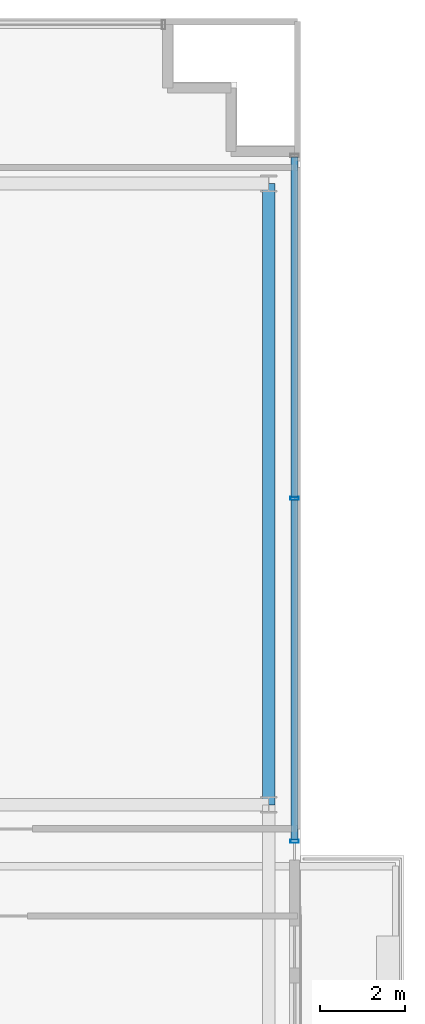
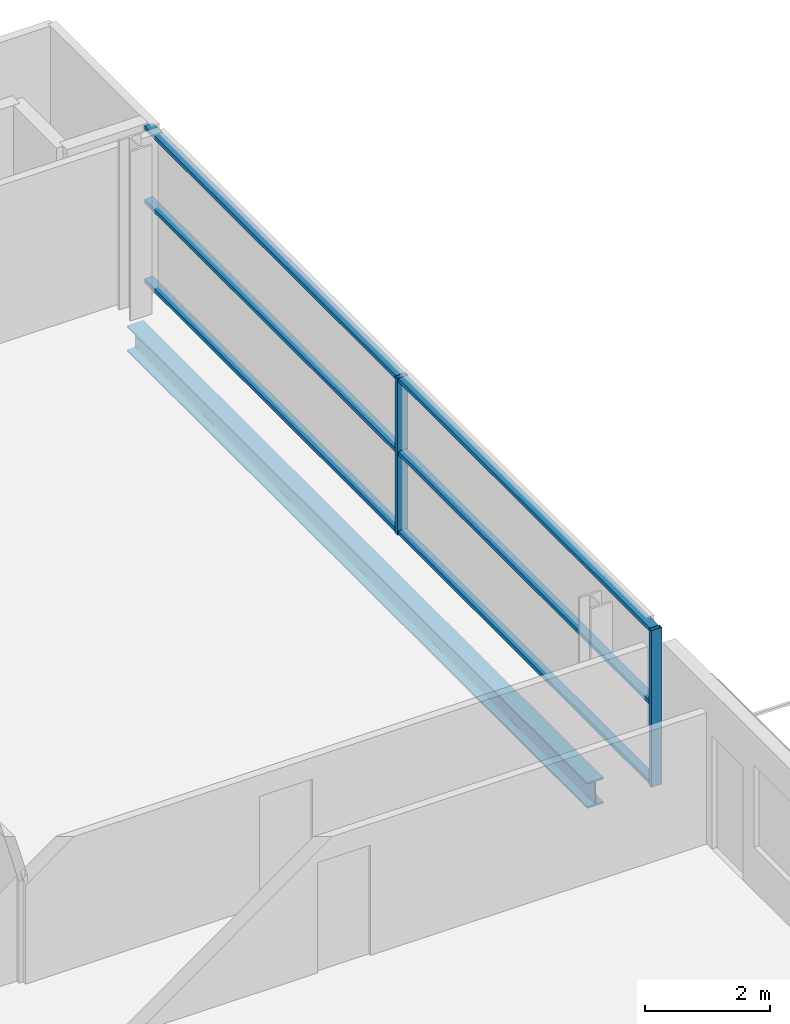
# One storey, part 10 of 23: 8 members, 1 beam, 1 element without a shape of its own.
"""IFC4 building model written with IfcOpenShell, lengths in metres."""

import ifcopenshell
import ifcopenshell.guid

model = None  # the IFC model being written
_history = None  # IfcOwnerHistory: only IFC2X3 demands one
_inside = {}  # id of a spatial element -> (the spatial element, [elements in it])
_under = {}  # id of a project, library or spatial element -> (it, [spatial elements below it])
_declared = {}  # id of a project -> (the project, [libraries it declares])
_typed = {}  # id of a type object -> (the type object, [elements of that type])
_made_of = {}  # id of a material, layer set ... -> (it, [elements and type objects made of it])


def new_model(schema):
    """Start an empty IFC model of exactly this schema.

    Asked for "IFC4X3", IfcOpenShell would pick the latest addendum, in which some entities
    have other attributes; the version numbers below select the first issue.
    IFC2X3 requires an IfcOwnerHistory on every rooted entity: one is made here for all.
    """
    global model, _history
    if schema == "IFC4X3":
        model = ifcopenshell.file(schema_version=(4, 3, 0, 0))
    else:
        model = ifcopenshell.file(schema=schema)
    _inside.clear()
    _under.clear()
    _declared.clear()
    _typed.clear()
    _made_of.clear()
    _history = None
    if model.schema == "IFC2X3":
        org = make("IfcOrganization", Name="unknown")
        user = make(
            "IfcPersonAndOrganization",
            ThePerson=make("IfcPerson", FamilyName="unknown"),
            TheOrganization=org,
        )
        app = make(
            "IfcApplication",
            ApplicationDeveloper=org,
            Version="unknown",
            ApplicationFullName="unknown",
            ApplicationIdentifier="unknown",
        )
        _history = make(
            "IfcOwnerHistory",
            OwningUser=user,
            OwningApplication=app,
            ChangeAction="ADDED",
            CreationDate=0,
        )
    return model


def make(cls, **values):
    """One entity of the class cls with the attributes given. An attribute that is None is left unset."""
    return model.create_entity(
        cls, **{name: value for name, value in values.items() if value is not None}
    )


def rooted(cls, **values):
    """An entity with a GlobalId (a new one), such as an element, a storey or a relation."""
    return make(cls, GlobalId=ifcopenshell.guid.new(), OwnerHistory=_history, **values)


def si_unit(unit_type, name, prefix=None):
    """IfcSIUnit, for example si_unit("LENGTHUNIT", "METRE", prefix="MILLI")."""
    return make("IfcSIUnit", UnitType=unit_type, Prefix=prefix, Name=name)


def assignment(units):
    """IfcUnitAssignment: the units of a project."""
    return None if units is None else make("IfcUnitAssignment", Units=units)


def point(xyz):
    """IfcCartesianPoint."""
    return None if xyz is None else make("IfcCartesianPoint", Coordinates=xyz)


def direction(xyz):
    """IfcDirection."""
    return None if xyz is None else make("IfcDirection", DirectionRatios=xyz)


def frame(location, z_axis=None, x_axis=None):
    """IfcAxis2Placement3D, a coordinate frame: its origin and axes. An axis left out is left unset."""
    return make(
        "IfcAxis2Placement3D",
        Location=point(location),
        Axis=direction(z_axis),
        RefDirection=direction(x_axis),
    )


def frame_2d(location, x_axis=None):
    """IfcAxis2Placement2D, a coordinate frame in the plane: its origin and x axis."""
    return make(
        "IfcAxis2Placement2D", Location=point(location), RefDirection=direction(x_axis)
    )


def origin():
    """The frame at (0, 0, 0) with its axes left unset."""
    return frame((0.0, 0.0, 0.0))


def origin_2d():
    """The frame at (0, 0) in the plane with its x axis left unset."""
    return frame_2d((0.0, 0.0))


def place(relative_to, where):
    """IfcLocalPlacement: puts the frame where relative to a parent placement (None: the world)."""
    return make(
        "IfcLocalPlacement", PlacementRelTo=relative_to, RelativePlacement=where
    )


def context(
    kind, dimensions, precision=None, world=None, true_north=None, identifier=None
):
    """IfcGeometricRepresentationContext, for example the 3D "Model" context."""
    return make(
        "IfcGeometricRepresentationContext",
        ContextIdentifier=identifier,
        ContextType=kind,
        CoordinateSpaceDimension=dimensions,
        Precision=precision,
        WorldCoordinateSystem=world,
        TrueNorth=true_north,
    )


def subcontext(parent, identifier, kind, view, scale=None):
    """IfcGeometricRepresentationSubContext, for example "Body" below "Model"."""
    return make(
        "IfcGeometricRepresentationSubContext",
        ContextIdentifier=identifier,
        ContextType=kind,
        ParentContext=parent,
        TargetScale=scale,
        TargetView=view,
    )


def project(units=None, contexts=None):
    """IfcProject with its units and contexts."""
    return rooted(
        "IfcProject",
        Name="project",
        RepresentationContexts=contexts,
        UnitsInContext=assignment(units),
    )


def spatial(cls, under=None, at=None, **own):
    """A site, building, storey or space (cls), placed at a placement, below another one or the project."""
    s = rooted(cls, ObjectPlacement=at, **own)
    if under is not None:
        _under.setdefault(under.id(), (under, []))[1].append(s)
    return s


def profile(cls, at=None, kind="AREA", **sizes):
    """A parametric profile (cls). Its sizes go by their IFC names, for example OverallWidth=200.0."""
    return make(cls, ProfileType=kind, Position=at, **sizes)


def hollow_rectangle(**sizes):
    """IfcRectangleHollowProfileDef."""
    return profile("IfcRectangleHollowProfileDef", **sizes)


def i_section(**sizes):
    """IfcIShapeProfileDef."""
    return profile("IfcIShapeProfileDef", **sizes)


def extrude(swept, where, along, depth):
    """IfcExtrudedAreaSolid: the profile swept, set in the frame where, extruded along a direction by depth."""
    return make(
        "IfcExtrudedAreaSolid",
        SweptArea=swept,
        Position=where,
        ExtrudedDirection=direction(along),
        Depth=depth,
    )


def shape(context_of_items, identifier, shape_type, items):
    """IfcShapeRepresentation: the items that make up one representation, for example the "Body"."""
    return make(
        "IfcShapeRepresentation",
        ContextOfItems=context_of_items,
        RepresentationIdentifier=identifier,
        RepresentationType=shape_type,
        Items=items,
    )


def source(mapping_origin, context_of_items, identifier, shape_type, items):
    """IfcRepresentationMap: a shape defined once, which mapped items show again and again."""
    return make(
        "IfcRepresentationMap",
        MappingOrigin=mapping_origin,
        MappedRepresentation=shape(context_of_items, identifier, shape_type, items),
    )


def transform(
    local_origin,
    x_axis=None,
    y_axis=None,
    z_axis=None,
    scale=None,
    scale2=None,
    scale3=None,
    uniform=True,
):
    """IfcCartesianTransformationOperator3D, or its non-uniform kind. x_axis, y_axis, z_axis: its Axis1, 2, 3."""
    if uniform:
        return make(
            "IfcCartesianTransformationOperator3D",
            Axis1=direction(x_axis),
            Axis2=direction(y_axis),
            LocalOrigin=point(local_origin),
            Scale=scale,
            Axis3=direction(z_axis),
        )
    return make(
        "IfcCartesianTransformationOperator3DnonUniform",
        Axis1=direction(x_axis),
        Axis2=direction(y_axis),
        LocalOrigin=point(local_origin),
        Scale=scale,
        Axis3=direction(z_axis),
        Scale2=scale2,
        Scale3=scale3,
    )


def mapped(mapping_source, mapping_target):
    """IfcMappedItem: shows the shape of a source again, moved by a transform."""
    return make(
        "IfcMappedItem", MappingSource=mapping_source, MappingTarget=mapping_target
    )


def material(Name=None, Category=None):
    """IfcMaterial."""
    return make("IfcMaterial", Name=Name, Category=Category)


def layer(
    of_material, thickness, ventilated=None, Name=None, Category=None, Priority=None
):
    """IfcMaterialLayer: one layer of a wall or slab, of a material (None: an air gap)."""
    return make(
        "IfcMaterialLayer",
        Material=of_material,
        LayerThickness=thickness,
        IsVentilated=ventilated,
        Name=Name,
        Category=Category,
        Priority=Priority,
    )


def layer_set(layers, Name=None):
    """IfcMaterialLayerSet."""
    return make("IfcMaterialLayerSet", MaterialLayers=layers, LayerSetName=Name)


def material_profile(
    of_material, cross_section, Name=None, Category=None, Priority=None
):
    """IfcMaterialProfile: a cross section and its material."""
    return make(
        "IfcMaterialProfile",
        Name=Name,
        Material=of_material,
        Profile=cross_section,
        Priority=Priority,
        Category=Category,
    )


def profile_set(profiles, Name=None, composite=None):
    """IfcMaterialProfileSet."""
    return make(
        "IfcMaterialProfileSet",
        Name=Name,
        MaterialProfiles=profiles,
        CompositeProfile=composite,
    )


def made_of(thing, what):
    """Note that an element or type object is made of a material, layer set ...; save() writes the relation."""
    if what is not None:
        _made_of.setdefault(what.id(), (what, []))[1].append(thing)
    return thing


def type_object(cls, material=None, **own):
    """A type object (cls), such as IfcWallType, which elements share."""
    return made_of(rooted(cls, **own), material)


def element(
    cls,
    number,
    at=None,
    inside=None,
    cuts=None,
    type_object=None,
    material=None,
    context=None,
    identifier="Body",
    shape_type=None,
    held_by="IfcProductDefinitionShape",
    body=None,
    shapes=None,
    **own,
):
    """One element of the class cls, such as IfcWall. Its Tag is "e" and its number.

    at: its placement. inside: the storey or other place that contains it. cuts: it is an
    opening in that element (IfcRelVoidsElement). A single representation is given by context,
    identifier, shape_type and body (its items); several are given by shapes. held_by: the class
    of the entity that holds the representations. save() writes the other relations.
    """
    e = rooted(cls, Tag="e%d" % number, ObjectPlacement=at, **own)
    if body is not None:
        shapes = [shape(context, identifier, shape_type, body)]
    if shapes is not None:
        e.Representation = make(held_by, Representations=shapes)
    if inside is not None:
        _inside.setdefault(inside.id(), (inside, []))[1].append(e)
    if cuts is not None:
        rooted(
            "IfcRelVoidsElement", RelatingBuildingElement=cuts, RelatedOpeningElement=e
        )
    if type_object is not None:
        _typed.setdefault(type_object.id(), (type_object, []))[1].append(e)
    return made_of(e, material)


def aggregate(whole, parts):
    """IfcRelAggregates: a whole, such as a stair, and the parts it consists of."""
    return rooted("IfcRelAggregates", RelatingObject=whole, RelatedObjects=parts)


def save(model, path):
    """Write the relations noted so far, then the file.

    IfcRelAggregates (storeys below a building ...), IfcRelContainedInSpatialStructure (elements
    in a storey), IfcRelDefinesByType, IfcRelAssociatesMaterial and IfcRelDeclares: one each for
    every whole, place, type object, material and project.
    """
    for whole, parts in _under.values():
        aggregate(whole, parts)
    for where, things in _inside.values():
        rooted(
            "IfcRelContainedInSpatialStructure",
            RelatedElements=things,
            RelatingStructure=where,
        )
    for kind, things in _typed.values():
        rooted("IfcRelDefinesByType", RelatedObjects=things, RelatingType=kind)
    for what, things in _made_of.values():
        rooted("IfcRelAssociatesMaterial", RelatedObjects=things, RelatingMaterial=what)
    for by, libraries in _declared.values():
        rooted("IfcRelDeclares", RelatingContext=by, RelatedDefinitions=libraries)
    model.write(path)


model = new_model("IFC4")

# Units and contexts
model_context = context("Model", 3, precision=1e-05, world=origin(), true_north=direction((0.0, 1.0)))
body_context = subcontext(model_context, "Body", "Model", "MODEL_VIEW")
ifc_project = project(units=[si_unit("LENGTHUNIT", "METRE"), si_unit("AREAUNIT", "SQUARE_METRE"), si_unit("VOLUMEUNIT", "CUBIC_METRE"), si_unit("PLANEANGLEUNIT", "RADIAN"), si_unit("MASSUNIT", "GRAM", prefix="KILO")], contexts=[model_context])

# Site, building, storey
site_placement = place(None, origin())
site = spatial("IfcSite", under=ifc_project, at=site_placement, CompositionType="ELEMENT")
building_placement = place(site_placement, origin())
building = spatial("IfcBuilding", under=site, at=building_placement, Name="Zarnakvel Exchange Tower", CompositionType="ELEMENT")
storey_placement = place(building_placement, frame((0.0, 0.0, 175.89990234375)))
storey = spatial("IfcBuildingStorey", under=building, at=storey_placement, Name="L49", CompositionType="ELEMENT", Elevation=175.89990234375)

# Beam
ifc_material_1 = material(Name="Steel S355", Category="steel")
ifc_material_profile_1 = material_profile(ifc_material_1, i_section(OverallWidth=0.300048828125, OverallDepth=0.5, WebThickness=0.014404296875, FlangeThickness=0.028076171875, FilletRadius=0.027099609375, at=origin_2d()))
ifc_profile_set_1 = profile_set([ifc_material_profile_1], Name="Steel S355")
beam_type = type_object("IfcBeamType", Name="SP-02", PredefinedType="SPANDREL", material=ifc_profile_set_1)
beam_placement = place(storey_placement, frame((25.85009765625, -1.199951171875, -0.474853515625), z_axis=(0.0, 1.0, 0.0), x_axis=(-1.0, 0.0, 0.0)))
element("IfcBeam", 1, at=beam_placement, inside=storey, type_object=beam_type, Name="L49 Tower N-S Frame Beam", PredefinedType="SPANDREL", context=body_context, shape_type="SweptSolid", body=[
    extrude(i_section(OverallWidth=0.300048828125, OverallDepth=0.5, WebThickness=0.014404296875, FlangeThickness=0.028076171875, FilletRadius=0.027099609375, at=origin_2d()), origin(), (0.0, 0.0, 1.0), 14.699951171875),
])

# Curtain wall, members
ifc_material_2 = material(Name="Architectural Bronze Anodised Aluminium", Category="aluminium")
ifc_layer = layer(ifc_material_2, 0.199951171875)
ifc_layer_set = layer_set([ifc_layer], Name="Architectural Bronze Anodised Aluminium")
curtain_wall_type = type_object("IfcCurtainWallType", Name="CW-04", PredefinedType="NOTDEFINED", material=ifc_layer_set)
curtain_wall_placement = place(storey_placement, origin())
curtain_wall = element("IfcCurtainWall", 2, at=curtain_wall_placement, inside=storey, type_object=curtain_wall_type, Name="L49 Curtain Wall CW-L49-EN (CW-04)", PredefinedType="NOTDEFINED")
ifc_material_profile_2 = material_profile(ifc_material_2, hollow_rectangle(XDim=0.199951171875, YDim=0.074951171875, WallThickness=0.0048828125, at=origin_2d()))
ifc_profile_set_2 = profile_set([ifc_material_profile_2], Name="Architectural Bronze Anodised Aluminium")
member_type_1 = type_object("IfcMemberType", Name="CWM-04", PredefinedType="MULLION", material=ifc_profile_set_2)
shared_shape_1 = source(origin(), body_context, "Body", "SweptSolid", [
    extrude(hollow_rectangle(XDim=0.199951171875, YDim=0.074951171875, WallThickness=0.0048828125, at=origin_2d()), origin(), (0.0, 0.0, 1.0), 3.05517578125),
])
member_1_placement = place(storey_placement, frame((26.4599609375, -2.0625, 0.0), z_axis=(0.0, 0.0, 1.0), x_axis=(-1.0, 0.0, 0.0)))
member_1 = element("IfcMember", 3, at=member_1_placement, type_object=member_type_1, Name="CW-04 mullion 1", PredefinedType="MULLION", context=body_context, shape_type="MappedRepresentation", body=[
    mapped(shared_shape_1, transform((0.0, 0.0, 0.0), x_axis=(1.0, 0.0, 0.0), y_axis=(0.0, 1.0, 0.0), z_axis=(0.0, 0.0, 1.0), scale=1.0)),
])
member_2_placement = place(storey_placement, frame((26.4599609375, 6.050048828125, 0.0), z_axis=(0.0, 0.0, 1.0), x_axis=(-1.0, 0.0, 0.0)))
member_2 = element("IfcMember", 4, at=member_2_placement, type_object=member_type_1, Name="CW-04 mullion 2", PredefinedType="MULLION", context=body_context, shape_type="MappedRepresentation", body=[
    mapped(shared_shape_1, transform((0.0, 0.0, 0.0), x_axis=(1.0, 0.0, 0.0), y_axis=(0.0, 1.0, 0.0), z_axis=(0.0, 0.0, 1.0), scale=1.0)),
])
ifc_material_profile_3 = material_profile(ifc_material_2, hollow_rectangle(XDim=0.159912109375, YDim=0.074951171875, WallThickness=0.00390625, at=origin_2d()))
ifc_profile_set_3 = profile_set([ifc_material_profile_3], Name="Architectural Bronze Anodised Aluminium")
member_type_2 = type_object("IfcMemberType", Name="CWT-04", PredefinedType="USERDEFINED", material=ifc_profile_set_3)
shared_shape_2 = source(origin(), body_context, "Body", "SweptSolid", [
    extrude(hollow_rectangle(XDim=0.159912109375, YDim=0.074951171875, WallThickness=0.00390625, at=origin_2d()), origin(), (0.0, 0.0, 1.0), 8.037353515625),
])
member_3_placement = place(storey_placement, frame((26.4599609375, -2.02490234375, 0.03759765625), z_axis=(0.0, 1.0, 0.0), x_axis=(-1.0, 0.0, 0.0)))
member_3 = element("IfcMember", 5, at=member_3_placement, type_object=member_type_2, Name="CW-04 transom 1.1", ObjectType="TRANSOM", PredefinedType="USERDEFINED", context=body_context, shape_type="MappedRepresentation", body=[
    mapped(shared_shape_2, transform((0.0, 0.0, 0.0), x_axis=(1.0, 0.0, 0.0), y_axis=(0.0, 1.0, 0.0), z_axis=(0.0, 0.0, 1.0), scale=1.0)),
])
member_4_placement = place(storey_placement, frame((26.4599609375, -2.02490234375, 1.588623046875), z_axis=(0.0, 1.0, 0.0), x_axis=(-1.0, 0.0, 0.0)))
member_4 = element("IfcMember", 6, at=member_4_placement, type_object=member_type_2, Name="CW-04 transom 1.2", ObjectType="TRANSOM", PredefinedType="USERDEFINED", context=body_context, shape_type="MappedRepresentation", body=[
    mapped(shared_shape_2, transform((0.0, 0.0, 0.0), x_axis=(1.0, 0.0, 0.0), y_axis=(0.0, 1.0, 0.0), z_axis=(0.0, 0.0, 1.0), scale=1.0)),
])
member_5_placement = place(storey_placement, frame((26.4599609375, -2.02490234375, 3.017578125), z_axis=(0.0, 1.0, 0.0), x_axis=(-1.0, 0.0, 0.0)))
member_5 = element("IfcMember", 7, at=member_5_placement, type_object=member_type_2, Name="CW-04 transom 1.3", ObjectType="TRANSOM", PredefinedType="USERDEFINED", context=body_context, shape_type="MappedRepresentation", body=[
    mapped(shared_shape_2, transform((0.0, 0.0, 0.0), x_axis=(1.0, 0.0, 0.0), y_axis=(0.0, 1.0, 0.0), z_axis=(0.0, 0.0, 1.0), scale=1.0)),
])
shared_shape_3 = source(origin(), body_context, "Body", "SweptSolid", [
    extrude(hollow_rectangle(XDim=0.159912109375, YDim=0.074951171875, WallThickness=0.00390625, at=origin_2d()), origin(), (0.0, 0.0, 1.0), 8.03759765625),
])
member_6_placement = place(storey_placement, frame((26.4599609375, 6.08740234375, 0.03759765625), z_axis=(0.0, 1.0, 0.0), x_axis=(-1.0, 0.0, 0.0)))
member_6 = element("IfcMember", 8, at=member_6_placement, type_object=member_type_2, Name="CW-04 transom 2.1", ObjectType="TRANSOM", PredefinedType="USERDEFINED", context=body_context, shape_type="MappedRepresentation", body=[
    mapped(shared_shape_3, transform((0.0, 0.0, 0.0), x_axis=(1.0, 0.0, 0.0), y_axis=(0.0, 1.0, 0.0), z_axis=(0.0, 0.0, 1.0), scale=1.0)),
])
member_7_placement = place(storey_placement, frame((26.4599609375, 6.08740234375, 1.588623046875), z_axis=(0.0, 1.0, 0.0), x_axis=(-1.0, 0.0, 0.0)))
member_7 = element("IfcMember", 9, at=member_7_placement, type_object=member_type_2, Name="CW-04 transom 2.2", ObjectType="TRANSOM", PredefinedType="USERDEFINED", context=body_context, shape_type="MappedRepresentation", body=[
    mapped(shared_shape_3, transform((0.0, 0.0, 0.0), x_axis=(1.0, 0.0, 0.0), y_axis=(0.0, 1.0, 0.0), z_axis=(0.0, 0.0, 1.0), scale=1.0)),
])
member_8_placement = place(storey_placement, frame((26.4599609375, 6.08740234375, 3.017578125), z_axis=(0.0, 1.0, 0.0), x_axis=(-1.0, 0.0, 0.0)))
member_8 = element("IfcMember", 10, at=member_8_placement, type_object=member_type_2, Name="CW-04 transom 2.3", ObjectType="TRANSOM", PredefinedType="USERDEFINED", context=body_context, shape_type="MappedRepresentation", body=[
    mapped(shared_shape_3, transform((0.0, 0.0, 0.0), x_axis=(1.0, 0.0, 0.0), y_axis=(0.0, 1.0, 0.0), z_axis=(0.0, 0.0, 1.0), scale=1.0)),
])
aggregate(curtain_wall, [member_1, member_2, member_3, member_4, member_5, member_6, member_7, member_8])

save(model, "model.ifc")
